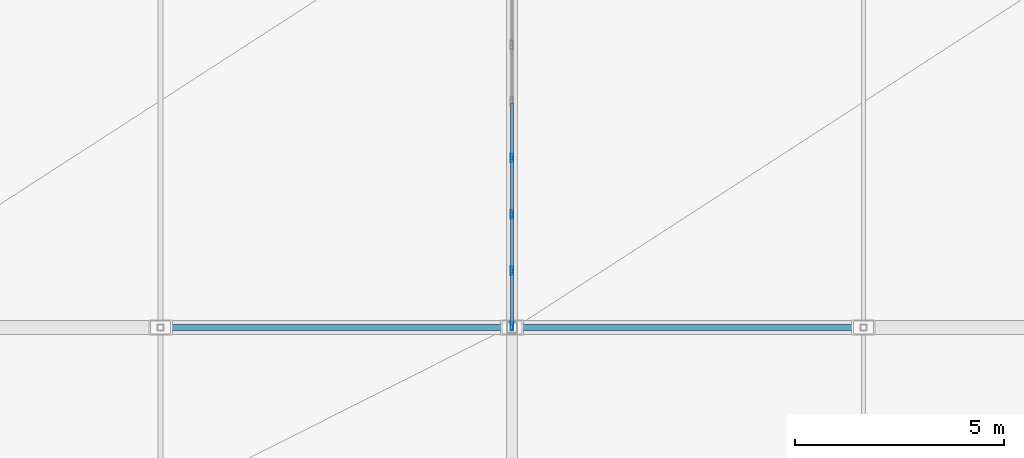
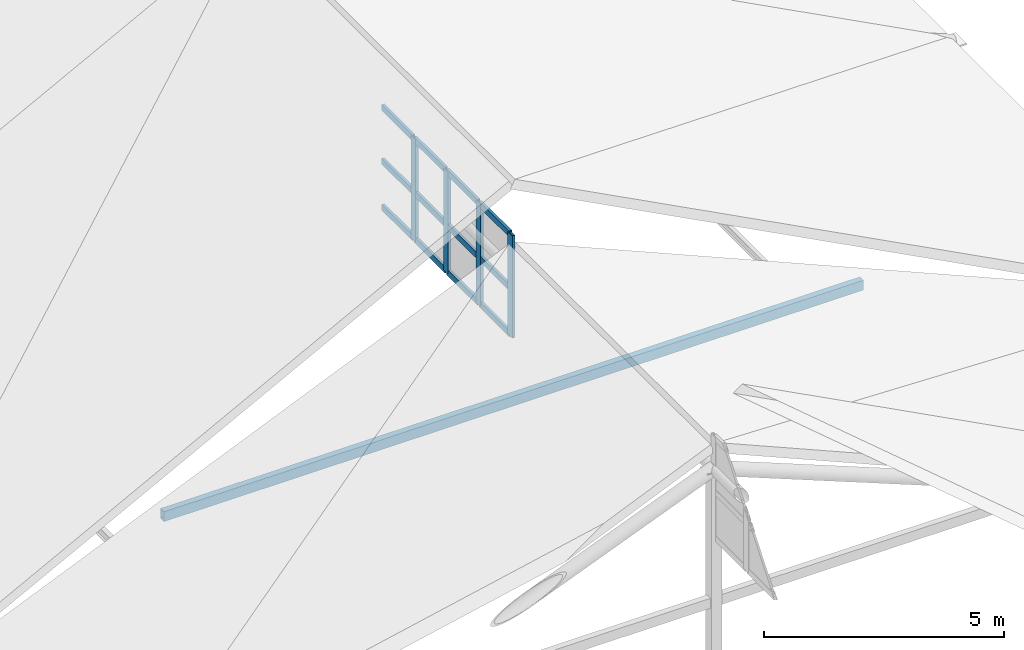
# One storey, part 29 of 76: 17 members, 1 element without a shape of its own.
"""IFC4 building model written with IfcOpenShell, lengths in metres."""

from ifc_helpers import new_model, si_unit, direction, frame, origin, origin_2d, place, context, subcontext, project, spatial, hollow_rectangle, extrude, material, layer, layer_set, material_profile, profile_set, type_object, element, aggregate, save


model = new_model("IFC4")

# Units and contexts
model_context = context("Model", 3, precision=1e-05, world=origin(), true_north=direction((0.0, 1.0)))
body_context = subcontext(model_context, "Body", "Model", "MODEL_VIEW")
ifc_project = project(units=[si_unit("LENGTHUNIT", "METRE"), si_unit("AREAUNIT", "SQUARE_METRE"), si_unit("VOLUMEUNIT", "CUBIC_METRE"), si_unit("PLANEANGLEUNIT", "RADIAN"), si_unit("MASSUNIT", "GRAM", prefix="KILO")], contexts=[model_context])

# Site, building, storey
site_placement = place(None, origin())
site = spatial("IfcSite", under=ifc_project, at=site_placement, CompositionType="ELEMENT")
building_placement = place(site_placement, origin())
building = spatial("IfcBuilding", under=site, at=building_placement, Name="Krzemoval Escarpment Law Courts", CompositionType="ELEMENT")
storey_placement = place(building_placement, frame((0.0, 0.0, 20.39990234375)))
storey = spatial("IfcBuildingStorey", under=building, at=storey_placement, Name="L04", CompositionType="ELEMENT", Elevation=20.39990234375)

# Curtain wall, members
ifc_material_1 = material(Name="Aluminium 6063-T6", Category="aluminium")
ifc_layer = layer(ifc_material_1, 0.199951171875)
ifc_layer_set = layer_set([ifc_layer], Name="Aluminium 6063-T6")
curtain_wall_type = type_object("IfcCurtainWallType", Name="CW-CLER-2800", PredefinedType="USERDEFINED", material=ifc_layer_set)
curtain_wall_placement = place(storey_placement, origin())
curtain_wall = element("IfcCurtainWall", 1, at=curtain_wall_placement, inside=storey, type_object=curtain_wall_type, Name="Clerestory Curtain Wall CW-CLER-V4-03", ObjectType="UNITISED_CURTAIN_WALL", PredefinedType="USERDEFINED")
ifc_material_2 = material(Name="Aluminium 6063-T6", Category="aluminium")
ifc_material_profile_1 = material_profile(ifc_material_2, hollow_rectangle(XDim=0.06494140625, YDim=0.199951171875, WallThickness=0.00439453125, at=origin_2d()), Name="ALU M65x200")
ifc_profile_set_1 = profile_set([ifc_material_profile_1], Name="Aluminium 6063-T6")
member_type_1 = type_object("IfcMemberType", Name="CWM-65x200", PredefinedType="MULLION", material=ifc_profile_set_1)
member_1_placement = place(storey_placement, frame((25.199951171875, 74.4326171875, 4.800048828125), z_axis=(0.0, 0.0, 1.0), x_axis=(-1.0, 0.0, 0.0)))
member_1 = element("IfcMember", 2, at=member_1_placement, type_object=member_type_1, Name="CW-CLER-V4-03 mullion 1", PredefinedType="MULLION", context=body_context, shape_type="SweptSolid", body=[
    extrude(hollow_rectangle(XDim=0.06494140625, YDim=0.199951171875, WallThickness=0.00439453125, at=origin_2d()), origin(), (0.0, 0.0, 1.0), 2.60009765625),
])
member_2_placement = place(storey_placement, frame((25.199951171875, 75.75, 4.800048828125), z_axis=(0.0, 0.0, 1.0), x_axis=(-1.0, 0.0, 0.0)))
member_2 = element("IfcMember", 3, at=member_2_placement, type_object=member_type_1, Name="CW-CLER-V4-03 mullion 2", PredefinedType="MULLION", context=body_context, shape_type="SweptSolid", body=[
    extrude(hollow_rectangle(XDim=0.06494140625, YDim=0.199951171875, WallThickness=0.00439453125, at=origin_2d()), origin(), (0.0, 0.0, 1.0), 2.60009765625),
])
member_3_placement = place(storey_placement, frame((25.199951171875, 77.10009765625, 4.800048828125), z_axis=(0.0, 0.0, 1.0), x_axis=(-1.0, 0.0, 0.0)))
member_3 = element("IfcMember", 4, at=member_3_placement, type_object=member_type_1, Name="CW-CLER-V4-03 mullion 3", PredefinedType="MULLION", context=body_context, shape_type="SweptSolid", body=[
    extrude(hollow_rectangle(XDim=0.06494140625, YDim=0.199951171875, WallThickness=0.00439453125, at=origin_2d()), origin(), (0.0, 0.0, 1.0), 2.60009765625),
])
member_4_placement = place(storey_placement, frame((25.199951171875, 78.449951171875, 4.800048828125), z_axis=(0.0, 0.0, 1.0), x_axis=(-1.0, 0.0, 0.0)))
member_4 = element("IfcMember", 5, at=member_4_placement, type_object=member_type_1, Name="CW-CLER-V4-03 mullion 4", PredefinedType="MULLION", context=body_context, shape_type="SweptSolid", body=[
    extrude(hollow_rectangle(XDim=0.06494140625, YDim=0.199951171875, WallThickness=0.00439453125, at=origin_2d()), origin(), (0.0, 0.0, 1.0), 2.60009765625),
])
ifc_material_3 = material(Name="Aluminium 6063-T6", Category="aluminium")
ifc_material_profile_2 = material_profile(ifc_material_3, hollow_rectangle(XDim=0.06494140625, YDim=0.14990234375, WallThickness=0.00439453125, at=origin_2d()), Name="ALU T65x150")
ifc_profile_set_2 = profile_set([ifc_material_profile_2], Name="Aluminium 6063-T6")
member_type_2 = type_object("IfcMemberType", Name="CWT-65x150", PredefinedType="USERDEFINED", material=ifc_profile_set_2)
member_5_placement = place(storey_placement, frame((25.199951171875, 74.465087890625, 4.83251953125), z_axis=(0.0, 1.0, 0.0), x_axis=(-1.0, 0.0, 0.0)))
member_5 = element("IfcMember", 6, at=member_5_placement, type_object=member_type_2, Name="CW-CLER-V4-03 transom 1.1", ObjectType="TRANSOM", PredefinedType="USERDEFINED", context=body_context, shape_type="SweptSolid", body=[
    extrude(hollow_rectangle(XDim=0.06494140625, YDim=0.14990234375, WallThickness=0.00439453125, at=origin_2d()), origin(), (0.0, 0.0, 1.0), 1.25244140625),
])
member_6_placement = place(storey_placement, frame((25.199951171875, 74.465087890625, 6.0), z_axis=(0.0, 1.0, 0.0), x_axis=(-1.0, 0.0, 0.0)))
member_6 = element("IfcMember", 7, at=member_6_placement, type_object=member_type_2, Name="CW-CLER-V4-03 transom 1.2", ObjectType="TRANSOM", PredefinedType="USERDEFINED", context=body_context, shape_type="SweptSolid", body=[
    extrude(hollow_rectangle(XDim=0.06494140625, YDim=0.14990234375, WallThickness=0.00439453125, at=origin_2d()), origin(), (0.0, 0.0, 1.0), 1.25244140625),
])
member_7_placement = place(storey_placement, frame((25.199951171875, 74.465087890625, 7.36767578125), z_axis=(0.0, 1.0, 0.0), x_axis=(-1.0, 0.0, 0.0)))
member_7 = element("IfcMember", 8, at=member_7_placement, type_object=member_type_2, Name="CW-CLER-V4-03 transom 1.3", ObjectType="TRANSOM", PredefinedType="USERDEFINED", context=body_context, shape_type="SweptSolid", body=[
    extrude(hollow_rectangle(XDim=0.06494140625, YDim=0.14990234375, WallThickness=0.00439453125, at=origin_2d()), origin(), (0.0, 0.0, 1.0), 1.25244140625),
])
member_8_placement = place(storey_placement, frame((25.199951171875, 75.782470703125, 4.83251953125), z_axis=(0.0, 1.0, 0.0), x_axis=(-1.0, 0.0, 0.0)))
member_8 = element("IfcMember", 9, at=member_8_placement, type_object=member_type_2, Name="CW-CLER-V4-03 transom 2.1", ObjectType="TRANSOM", PredefinedType="USERDEFINED", context=body_context, shape_type="SweptSolid", body=[
    extrude(hollow_rectangle(XDim=0.06494140625, YDim=0.14990234375, WallThickness=0.00439453125, at=origin_2d()), origin(), (0.0, 0.0, 1.0), 1.284912109375),
])
member_9_placement = place(storey_placement, frame((25.199951171875, 75.782470703125, 6.0), z_axis=(0.0, 1.0, 0.0), x_axis=(-1.0, 0.0, 0.0)))
member_9 = element("IfcMember", 10, at=member_9_placement, type_object=member_type_2, Name="CW-CLER-V4-03 transom 2.2", ObjectType="TRANSOM", PredefinedType="USERDEFINED", context=body_context, shape_type="SweptSolid", body=[
    extrude(hollow_rectangle(XDim=0.06494140625, YDim=0.14990234375, WallThickness=0.00439453125, at=origin_2d()), origin(), (0.0, 0.0, 1.0), 1.284912109375),
])
member_10_placement = place(storey_placement, frame((25.199951171875, 75.782470703125, 7.36767578125), z_axis=(0.0, 1.0, 0.0), x_axis=(-1.0, 0.0, 0.0)))
member_10 = element("IfcMember", 11, at=member_10_placement, type_object=member_type_2, Name="CW-CLER-V4-03 transom 2.3", ObjectType="TRANSOM", PredefinedType="USERDEFINED", context=body_context, shape_type="SweptSolid", body=[
    extrude(hollow_rectangle(XDim=0.06494140625, YDim=0.14990234375, WallThickness=0.00439453125, at=origin_2d()), origin(), (0.0, 0.0, 1.0), 1.284912109375),
])
member_11_placement = place(storey_placement, frame((25.199951171875, 77.132568359375, 4.83251953125), z_axis=(0.0, 1.0, 0.0), x_axis=(-1.0, 0.0, 0.0)))
member_11 = element("IfcMember", 12, at=member_11_placement, type_object=member_type_2, Name="CW-CLER-V4-03 transom 3.1", ObjectType="TRANSOM", PredefinedType="USERDEFINED", context=body_context, shape_type="SweptSolid", body=[
    extrude(hollow_rectangle(XDim=0.06494140625, YDim=0.14990234375, WallThickness=0.00439453125, at=origin_2d()), origin(), (0.0, 0.0, 1.0), 1.284912109375),
])
member_12_placement = place(storey_placement, frame((25.199951171875, 77.132568359375, 6.0), z_axis=(0.0, 1.0, 0.0), x_axis=(-1.0, 0.0, 0.0)))
member_12 = element("IfcMember", 13, at=member_12_placement, type_object=member_type_2, Name="CW-CLER-V4-03 transom 3.2", ObjectType="TRANSOM", PredefinedType="USERDEFINED", context=body_context, shape_type="SweptSolid", body=[
    extrude(hollow_rectangle(XDim=0.06494140625, YDim=0.14990234375, WallThickness=0.00439453125, at=origin_2d()), origin(), (0.0, 0.0, 1.0), 1.284912109375),
])
member_13_placement = place(storey_placement, frame((25.199951171875, 77.132568359375, 7.36767578125), z_axis=(0.0, 1.0, 0.0), x_axis=(-1.0, 0.0, 0.0)))
member_13 = element("IfcMember", 14, at=member_13_placement, type_object=member_type_2, Name="CW-CLER-V4-03 transom 3.3", ObjectType="TRANSOM", PredefinedType="USERDEFINED", context=body_context, shape_type="SweptSolid", body=[
    extrude(hollow_rectangle(XDim=0.06494140625, YDim=0.14990234375, WallThickness=0.00439453125, at=origin_2d()), origin(), (0.0, 0.0, 1.0), 1.284912109375),
])
member_14_placement = place(storey_placement, frame((25.199951171875, 78.482421875, 4.83251953125), z_axis=(0.0, 1.0, 0.0), x_axis=(-1.0, 0.0, 0.0)))
member_14 = element("IfcMember", 15, at=member_14_placement, type_object=member_type_2, Name="CW-CLER-V4-03 transom 4.1", ObjectType="TRANSOM", PredefinedType="USERDEFINED", context=body_context, shape_type="SweptSolid", body=[
    extrude(hollow_rectangle(XDim=0.06494140625, YDim=0.14990234375, WallThickness=0.00439453125, at=origin_2d()), origin(), (0.0, 0.0, 1.0), 1.28515625),
])
member_15_placement = place(storey_placement, frame((25.199951171875, 78.482421875, 6.0), z_axis=(0.0, 1.0, 0.0), x_axis=(-1.0, 0.0, 0.0)))
member_15 = element("IfcMember", 16, at=member_15_placement, type_object=member_type_2, Name="CW-CLER-V4-03 transom 4.2", ObjectType="TRANSOM", PredefinedType="USERDEFINED", context=body_context, shape_type="SweptSolid", body=[
    extrude(hollow_rectangle(XDim=0.06494140625, YDim=0.14990234375, WallThickness=0.00439453125, at=origin_2d()), origin(), (0.0, 0.0, 1.0), 1.28515625),
])
member_16_placement = place(storey_placement, frame((25.199951171875, 78.482421875, 7.36767578125), z_axis=(0.0, 1.0, 0.0), x_axis=(-1.0, 0.0, 0.0)))
member_16 = element("IfcMember", 17, at=member_16_placement, type_object=member_type_2, Name="CW-CLER-V4-03 transom 4.3", ObjectType="TRANSOM", PredefinedType="USERDEFINED", context=body_context, shape_type="SweptSolid", body=[
    extrude(hollow_rectangle(XDim=0.06494140625, YDim=0.14990234375, WallThickness=0.00439453125, at=origin_2d()), origin(), (0.0, 0.0, 1.0), 1.28515625),
])
aggregate(curtain_wall, [member_1, member_2, member_3, member_4, member_5, member_6, member_7, member_8, member_9, member_10, member_11, member_12, member_13, member_14, member_15, member_16])

# Member
ifc_material_4 = material(Name="Steel S355", Category="steel")
ifc_material_profile_3 = material_profile(ifc_material_4, hollow_rectangle(XDim=0.14990234375, YDim=0.25, WallThickness=0.010009765625, at=origin_2d()), Name="RHS 250x150x10")
ifc_profile_set_3 = profile_set([ifc_material_profile_3], Name="Steel S355")
member_type_3 = type_object("IfcMemberType", Name="MBR-COL-RHS250", PredefinedType="COLLAR", material=ifc_profile_set_3)
member_17_placement = place(storey_placement, frame((16.800048828125, 74.39990234375, 3.2001953125), z_axis=(1.0, 0.0, 0.0), x_axis=(0.0, 1.0, 0.0)))
element("IfcMember", 18, at=member_17_placement, inside=storey, type_object=member_type_3, Name="Roof Collar Tie CL-0036", PredefinedType="COLLAR", context=body_context, shape_type="SweptSolid", body=[
    extrude(hollow_rectangle(XDim=0.14990234375, YDim=0.25, WallThickness=0.010009765625, at=origin_2d()), origin(), (0.0, 0.0, 1.0), 16.800048828125),
])

save(model, "model.ifc")
